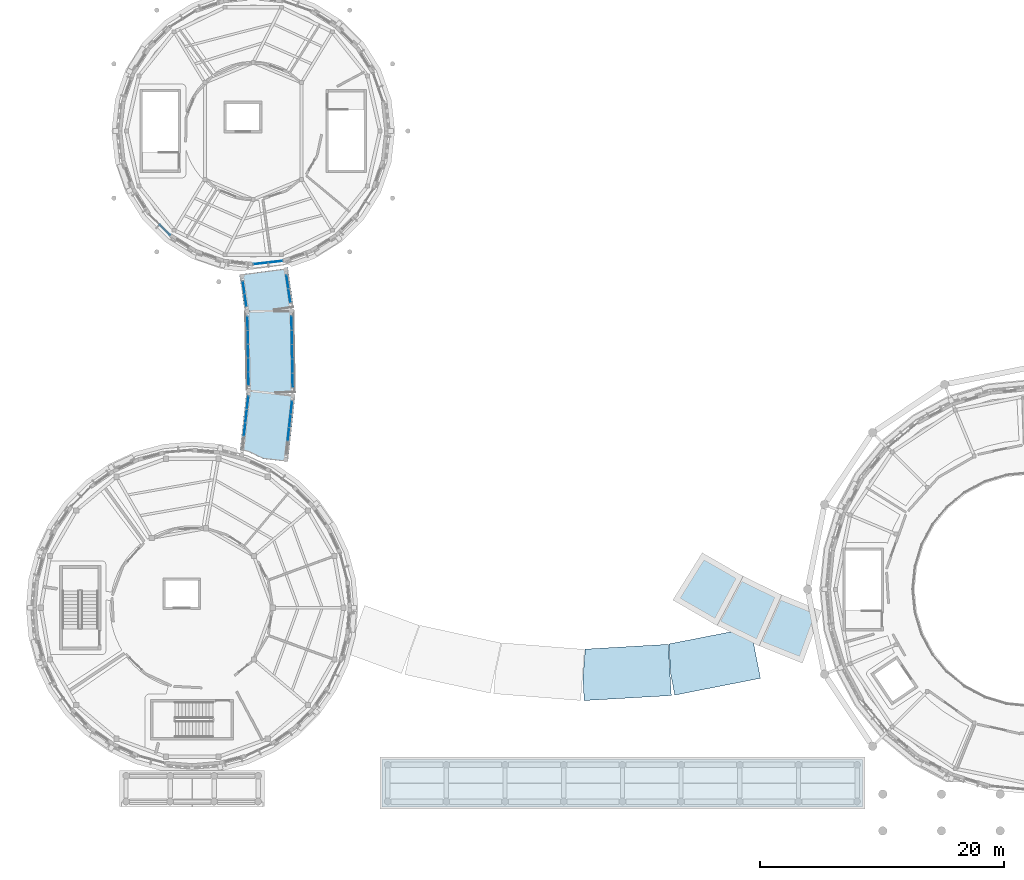
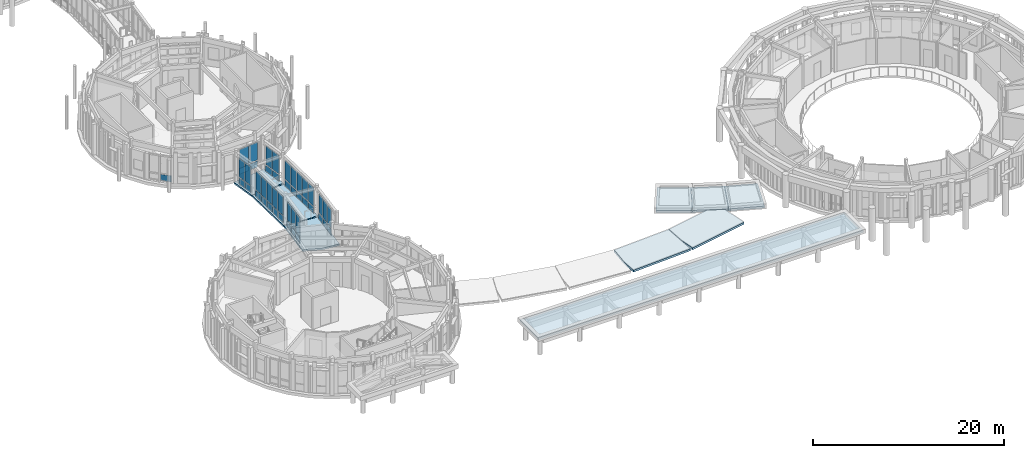
# One storey, part 31 of 80: 45 plates, 9 slabs, 8 elements without a shape of their own.
"""IFC4 building model written with IfcOpenShell, lengths in metres."""

from ifc_helpers import new_model, si_unit, direction, frame, origin, origin_2d, place, context, subcontext, project, spatial, polyline, rectangle, outline, extrude, material, layer, layer_set, type_object, element, aggregate, save


model = new_model("IFC4")

# Units and contexts
model_context = context("Model", 3, precision=1e-05, world=origin(), true_north=direction((0.0, 1.0)))
body_context = subcontext(model_context, "Body", "Model", "MODEL_VIEW")
ifc_project = project(units=[si_unit("LENGTHUNIT", "METRE"), si_unit("AREAUNIT", "SQUARE_METRE"), si_unit("VOLUMEUNIT", "CUBIC_METRE"), si_unit("PLANEANGLEUNIT", "RADIAN"), si_unit("MASSUNIT", "GRAM", prefix="KILO")], contexts=[model_context])

# Site, building, storey
site_placement = place(None, origin())
site = spatial("IfcSite", under=ifc_project, at=site_placement, CompositionType="ELEMENT")
building_placement = place(site_placement, origin())
building = spatial("IfcBuilding", under=site, at=building_placement, Name="Aldenvaro Health Centre", CompositionType="ELEMENT")
storey_placement = place(building_placement, frame((0.0, 0.0, 4.550048828125)))
storey = spatial("IfcBuildingStorey", under=building, at=storey_placement, Name="L01", CompositionType="ELEMENT", Elevation=4.550048828125)

# Curtain wall, plates
ifc_material_1 = material(Name="Anodised Aluminium 6063-T6", Category="aluminium")
ifc_layer_1 = layer(ifc_material_1, 0.195068359375, Name="Anodised Aluminium 6063-T6", Category="aluminium")
ifc_layer_set_1 = layer_set([ifc_layer_1], Name="Anodised Aluminium 6063-T6")
curtain_wall_type_1 = type_object("IfcCurtainWallType", Name="CW-CLN-02", PredefinedType="NOTDEFINED", material=ifc_layer_set_1)
curtain_wall_1_placement = place(storey_placement, origin())
curtain_wall_1 = element("IfcCurtainWall", 1, at=curtain_wall_1_placement, inside=storey, type_object=curtain_wall_type_1, Name="D3 L01 curtain wall bay 07", PredefinedType="NOTDEFINED")
ifc_material_2 = material(Name="Low-E Double Glazing IGU", Category="glass")
ifc_layer_2 = layer(ifc_material_2, 0.028076171875, Name="Low-E Double Glazing IGU", Category="glass")
ifc_layer_set_2 = layer_set([ifc_layer_2], Name="Low-E Double Glazing IGU")
plate_type_1 = type_object("IfcPlateType", Name="CWP-IGU-28", PredefinedType="CURTAIN_PANEL", material=ifc_layer_set_2)
plate_1_placement = place(storey_placement, frame((25.319091796875, 46.804931640625, 0.9599609375), z_axis=(0.0, 0.0, 1.0), x_axis=(-0.993722777443, -0.111870646695, 0.0)))
plate_1 = element("IfcPlate", 2, at=plate_1_placement, type_object=plate_type_1, Name="D3 L01 curtain wall bay 07 vision glazing 1", PredefinedType="CURTAIN_PANEL", context=body_context, shape_type="SweptSolid", body=[
    extrude(rectangle(XDim=1.14990234375, YDim=0.028076171875, at=origin_2d()), origin(), (0.0, 0.0, 1.0), 2.2939453125),
])
plate_2_placement = place(storey_placement, frame((24.10595703125, 46.66796875, 0.9599609375), z_axis=(0.0, 0.0, 1.0), x_axis=(-0.993722777443, -0.111870646695, 0.0)))
plate_2 = element("IfcPlate", 3, at=plate_2_placement, type_object=plate_type_1, Name="D3 L01 curtain wall bay 07 vision glazing 2", PredefinedType="CURTAIN_PANEL", context=body_context, shape_type="SweptSolid", body=[
    extrude(rectangle(XDim=1.14990234375, YDim=0.028076171875, at=origin_2d()), origin(), (0.0, 0.0, 1.0), 2.2939453125),
])

ifc_layer_3 = layer(ifc_material_1, 0.2099609375, Name="Anodised Aluminium 6063-T6", Category="aluminium")
ifc_layer_set_3 = layer_set([ifc_layer_3], Name="Anodised Aluminium 6063-T6")
curtain_wall_type_2 = type_object("IfcCurtainWallType", Name="CW-BRG-03", PredefinedType="NOTDEFINED", material=ifc_layer_set_3)
curtain_wall_2_placement = place(storey_placement, origin())
curtain_wall_2 = element("IfcCurtainWall", 4, at=curtain_wall_2_placement, inside=storey, type_object=curtain_wall_type_2, Name="West South Curved Garden Walkway Arc 1 L01 glazed link wall L-1.1", PredefinedType="NOTDEFINED")
plate_3_placement = place(storey_placement, frame((22.802001953125, 33.0810546875, 0.9599609375), z_axis=(0.0, 0.0, 1.0), x_axis=(0.11038207653, 0.993889227822, 0.0)))
plate_3 = element("IfcPlate", 5, at=plate_3_placement, type_object=plate_type_1, Name="West South Curved Garden Walkway Arc 1 L01 glazed link wall L-1.1 vision glazing 2", PredefinedType="CURTAIN_PANEL", context=body_context, shape_type="SweptSolid", body=[
    extrude(rectangle(XDim=1.0400390625, YDim=0.028076171875, at=origin_2d()), origin(), (0.0, 0.0, 1.0), 2.389892578125),
])
plate_4_placement = place(storey_placement, frame((22.924072265625, 34.18408203125, 0.9599609375), z_axis=(0.0, 0.0, 1.0), x_axis=(0.11038207653, 0.993889227822, 0.0)))
plate_4 = element("IfcPlate", 6, at=plate_4_placement, type_object=plate_type_1, Name="West South Curved Garden Walkway Arc 1 L01 glazed link wall L-1.1 vision glazing 3", PredefinedType="CURTAIN_PANEL", context=body_context, shape_type="SweptSolid", body=[
    extrude(rectangle(XDim=1.0400390625, YDim=0.028076171875, at=origin_2d()), origin(), (0.0, 0.0, 1.0), 2.389892578125),
])
plate_5_placement = place(storey_placement, frame((23.047119140625, 35.287109375, 0.9599609375), z_axis=(0.0, 0.0, 1.0), x_axis=(0.11038207653, 0.993889227822, 0.0)))
plate_5 = element("IfcPlate", 7, at=plate_5_placement, type_object=plate_type_1, Name="West South Curved Garden Walkway Arc 1 L01 glazed link wall L-1.1 vision glazing 4", PredefinedType="CURTAIN_PANEL", context=body_context, shape_type="SweptSolid", body=[
    extrude(rectangle(XDim=1.0400390625, YDim=0.028076171875, at=origin_2d()), origin(), (0.0, 0.0, 1.0), 2.389892578125),
])

curtain_wall_3_placement = place(storey_placement, origin())
curtain_wall_3 = element("IfcCurtainWall", 8, at=curtain_wall_3_placement, inside=storey, type_object=curtain_wall_type_2, Name="West South Curved Garden Walkway Arc 1 L01 glazed link wall R-1.1", PredefinedType="NOTDEFINED")
plate_6_placement = place(storey_placement, frame((26.3798828125, 32.68408203125, 0.9599609375), z_axis=(0.0, 0.0, 1.0), x_axis=(0.11038207653, 0.993889227822, 0.0)))
plate_6 = element("IfcPlate", 9, at=plate_6_placement, type_object=plate_type_1, Name="West South Curved Garden Walkway Arc 1 L01 glazed link wall R-1.1 vision glazing 2", PredefinedType="CURTAIN_PANEL", context=body_context, shape_type="SweptSolid", body=[
    extrude(rectangle(XDim=1.0400390625, YDim=0.028076171875, at=origin_2d()), origin(), (0.0, 0.0, 1.0), 2.389892578125),
])
plate_7_placement = place(storey_placement, frame((26.501953125, 33.787109375, 0.9599609375), z_axis=(0.0, 0.0, 1.0), x_axis=(0.11038207653, 0.993889227822, 0.0)))
plate_7 = element("IfcPlate", 10, at=plate_7_placement, type_object=plate_type_1, Name="West South Curved Garden Walkway Arc 1 L01 glazed link wall R-1.1 vision glazing 3", PredefinedType="CURTAIN_PANEL", context=body_context, shape_type="SweptSolid", body=[
    extrude(rectangle(XDim=1.0400390625, YDim=0.028076171875, at=origin_2d()), origin(), (0.0, 0.0, 1.0), 2.389892578125),
])
plate_8_placement = place(storey_placement, frame((26.625, 34.889892578125, 0.9599609375), z_axis=(0.0, 0.0, 1.0), x_axis=(0.11038207653, 0.993889227822, 0.0)))
plate_8 = element("IfcPlate", 11, at=plate_8_placement, type_object=plate_type_1, Name="West South Curved Garden Walkway Arc 1 L01 glazed link wall R-1.1 vision glazing 4", PredefinedType="CURTAIN_PANEL", context=body_context, shape_type="SweptSolid", body=[
    extrude(rectangle(XDim=1.0400390625, YDim=0.028076171875, at=origin_2d()), origin(), (0.0, 0.0, 1.0), 2.389892578125),
])

curtain_wall_4_placement = place(storey_placement, origin())
curtain_wall_4 = element("IfcCurtainWall", 12, at=curtain_wall_4_placement, inside=storey, type_object=curtain_wall_type_2, Name="West South Curved Garden Walkway Arc 2 L01 glazed link wall L-1.1", PredefinedType="NOTDEFINED")
plate_9_placement = place(storey_placement, frame((23.1220703125, 37.22998046875, 0.9599609375), z_axis=(0.0, 0.0, 1.0), x_axis=(-0.017327194963, 0.999849872888, 0.0)))
plate_9 = element("IfcPlate", 13, at=plate_9_placement, type_object=plate_type_1, Name="West South Curved Garden Walkway Arc 2 L01 glazed link wall L-1.1 vision glazing 1", PredefinedType="CURTAIN_PANEL", context=body_context, shape_type="SweptSolid", body=[
    extrude(rectangle(XDim=1.06103515625, YDim=0.028076171875, at=origin_2d()), origin(), (0.0, 0.0, 1.0), 2.389892578125),
])
plate_10_placement = place(storey_placement, frame((23.10302734375, 38.361083984375, 0.9599609375), z_axis=(0.0, 0.0, 1.0), x_axis=(-0.017327194963, 0.999849872888, 0.0)))
plate_10 = element("IfcPlate", 14, at=plate_10_placement, type_object=plate_type_1, Name="West South Curved Garden Walkway Arc 2 L01 glazed link wall L-1.1 vision glazing 2", PredefinedType="CURTAIN_PANEL", context=body_context, shape_type="SweptSolid", body=[
    extrude(rectangle(XDim=1.06103515625, YDim=0.028076171875, at=origin_2d()), origin(), (0.0, 0.0, 1.0), 2.389892578125),
])
plate_11_placement = place(storey_placement, frame((23.0830078125, 39.491943359375, 0.9599609375), z_axis=(0.0, 0.0, 1.0), x_axis=(-0.017327194963, 0.999849872888, 0.0)))
plate_11 = element("IfcPlate", 15, at=plate_11_placement, type_object=plate_type_1, Name="West South Curved Garden Walkway Arc 2 L01 glazed link wall L-1.1 vision glazing 3", PredefinedType="CURTAIN_PANEL", context=body_context, shape_type="SweptSolid", body=[
    extrude(rectangle(XDim=1.06103515625, YDim=0.028076171875, at=origin_2d()), origin(), (0.0, 0.0, 1.0), 2.389892578125),
])
plate_12_placement = place(storey_placement, frame((23.06298828125, 40.623046875, 0.9599609375), z_axis=(0.0, 0.0, 1.0), x_axis=(-0.017327194963, 0.999849872888, 0.0)))
plate_12 = element("IfcPlate", 16, at=plate_12_placement, type_object=plate_type_1, Name="West South Curved Garden Walkway Arc 2 L01 glazed link wall L-1.1 vision glazing 4", PredefinedType="CURTAIN_PANEL", context=body_context, shape_type="SweptSolid", body=[
    extrude(rectangle(XDim=1.06103515625, YDim=0.028076171875, at=origin_2d()), origin(), (0.0, 0.0, 1.0), 2.389892578125),
])
plate_13_placement = place(storey_placement, frame((23.0439453125, 41.7548828125, 0.9599609375), z_axis=(0.0, 0.0, 1.0), x_axis=(-0.017327194963, 0.999849872888, 0.0)))
plate_13 = element("IfcPlate", 17, at=plate_13_placement, type_object=plate_type_1, Name="West South Curved Garden Walkway Arc 2 L01 glazed link wall L-1.1 vision glazing 5", PredefinedType="CURTAIN_PANEL", context=body_context, shape_type="SweptSolid", body=[
    extrude(rectangle(XDim=1.06103515625, YDim=0.028076171875, at=origin_2d()), origin(), (0.0, 0.0, 1.0), 2.389892578125),
])

curtain_wall_5_placement = place(storey_placement, origin())
curtain_wall_5 = element("IfcCurtainWall", 18, at=curtain_wall_5_placement, inside=storey, type_object=curtain_wall_type_2, Name="West South Curved Garden Walkway Arc 2 L01 glazed link wall R-1.1", PredefinedType="NOTDEFINED")
plate_14_placement = place(storey_placement, frame((26.72509765625, 37.094970703125, 0.9599609375), z_axis=(0.0, 0.0, 1.0), x_axis=(-0.01736204042, 0.999849268416, 0.0)))
plate_14 = element("IfcPlate", 19, at=plate_14_placement, type_object=plate_type_1, Name="West South Curved Garden Walkway Arc 2 L01 glazed link wall R-1.1 vision glazing 1", PredefinedType="CURTAIN_PANEL", context=body_context, shape_type="SweptSolid", body=[
    extrude(rectangle(XDim=1.10498046875, YDim=0.028076171875, at=origin_2d()), origin(), (0.0, 0.0, 1.0), 2.389892578125),
])
plate_15_placement = place(storey_placement, frame((26.7041015625, 38.27001953125, 0.9599609375), z_axis=(0.0, 0.0, 1.0), x_axis=(-0.01736204042, 0.999849268416, 0.0)))
plate_15 = element("IfcPlate", 20, at=plate_15_placement, type_object=plate_type_1, Name="West South Curved Garden Walkway Arc 2 L01 glazed link wall R-1.1 vision glazing 2", PredefinedType="CURTAIN_PANEL", context=body_context, shape_type="SweptSolid", body=[
    extrude(rectangle(XDim=1.10498046875, YDim=0.028076171875, at=origin_2d()), origin(), (0.0, 0.0, 1.0), 2.389892578125),
])
plate_16_placement = place(storey_placement, frame((26.68408203125, 39.445068359375, 0.9599609375), z_axis=(0.0, 0.0, 1.0), x_axis=(-0.01736204042, 0.999849268416, 0.0)))
plate_16 = element("IfcPlate", 21, at=plate_16_placement, type_object=plate_type_1, Name="West South Curved Garden Walkway Arc 2 L01 glazed link wall R-1.1 vision glazing 3", PredefinedType="CURTAIN_PANEL", context=body_context, shape_type="SweptSolid", body=[
    extrude(rectangle(XDim=1.10498046875, YDim=0.028076171875, at=origin_2d()), origin(), (0.0, 0.0, 1.0), 2.389892578125),
])
plate_17_placement = place(storey_placement, frame((26.6640625, 40.6201171875, 0.9599609375), z_axis=(0.0, 0.0, 1.0), x_axis=(-0.01736204042, 0.999849268416, 0.0)))
plate_17 = element("IfcPlate", 22, at=plate_17_placement, type_object=plate_type_1, Name="West South Curved Garden Walkway Arc 2 L01 glazed link wall R-1.1 vision glazing 4", PredefinedType="CURTAIN_PANEL", context=body_context, shape_type="SweptSolid", body=[
    extrude(rectangle(XDim=1.10498046875, YDim=0.028076171875, at=origin_2d()), origin(), (0.0, 0.0, 1.0), 2.389892578125),
])
plate_18_placement = place(storey_placement, frame((26.64306640625, 41.794921875, 0.9599609375), z_axis=(0.0, 0.0, 1.0), x_axis=(-0.01736204042, 0.999849268416, 0.0)))
plate_18 = element("IfcPlate", 23, at=plate_18_placement, type_object=plate_type_1, Name="West South Curved Garden Walkway Arc 2 L01 glazed link wall R-1.1 vision glazing 5", PredefinedType="CURTAIN_PANEL", context=body_context, shape_type="SweptSolid", body=[
    extrude(rectangle(XDim=1.10498046875, YDim=0.028076171875, at=origin_2d()), origin(), (0.0, 0.0, 1.0), 2.389892578125),
])

curtain_wall_6_placement = place(storey_placement, origin())
curtain_wall_6 = element("IfcCurtainWall", 24, at=curtain_wall_6_placement, inside=storey, type_object=curtain_wall_type_2, Name="West South Curved Garden Walkway Arc 3 L01 glazed link wall L-1.1", PredefinedType="NOTDEFINED")
plate_19_placement = place(storey_placement, frame((22.8759765625, 43.660888671875, 0.9599609375), z_axis=(0.0, 0.0, 1.0), x_axis=(-0.144628209814, 0.989486069091, 0.0)))
plate_19 = element("IfcPlate", 25, at=plate_19_placement, type_object=plate_type_1, Name="West South Curved Garden Walkway Arc 3 L01 glazed link wall L-1.1 vision glazing 1", PredefinedType="CURTAIN_PANEL", context=body_context, shape_type="SweptSolid", body=[
    extrude(rectangle(XDim=0.97802734375, YDim=0.028076171875, at=origin_2d()), origin(), (0.0, 0.0, 1.0), 2.389892578125),
])
plate_20_placement = place(storey_placement, frame((22.72509765625, 44.697998046875, 0.9599609375), z_axis=(0.0, 0.0, 1.0), x_axis=(-0.144628209814, 0.989486069091, 0.0)))
plate_20 = element("IfcPlate", 26, at=plate_20_placement, type_object=plate_type_1, Name="West South Curved Garden Walkway Arc 3 L01 glazed link wall L-1.1 vision glazing 2", PredefinedType="CURTAIN_PANEL", context=body_context, shape_type="SweptSolid", body=[
    extrude(rectangle(XDim=0.97802734375, YDim=0.028076171875, at=origin_2d()), origin(), (0.0, 0.0, 1.0), 2.389892578125),
])

curtain_wall_7_placement = place(storey_placement, origin())
curtain_wall_7 = element("IfcCurtainWall", 27, at=curtain_wall_7_placement, inside=storey, type_object=curtain_wall_type_2, Name="West South Curved Garden Walkway Arc 3 L01 glazed link wall R-1.1", PredefinedType="NOTDEFINED")
plate_21_placement = place(storey_placement, frame((26.4619140625, 44.02001953125, 0.9599609375), z_axis=(0.0, 0.0, 1.0), x_axis=(-0.144685733702, 0.989477659406, 0.0)))
plate_21 = element("IfcPlate", 28, at=plate_21_placement, type_object=plate_type_1, Name="West South Curved Garden Walkway Arc 3 L01 glazed link wall R-1.1 vision glazing 1", PredefinedType="CURTAIN_PANEL", context=body_context, shape_type="SweptSolid", body=[
    extrude(rectangle(XDim=1.087890625, YDim=0.028076171875, at=origin_2d()), origin(), (0.0, 0.0, 1.0), 2.389892578125),
])
plate_22_placement = place(storey_placement, frame((26.294921875, 45.1650390625, 0.9599609375), z_axis=(0.0, 0.0, 1.0), x_axis=(-0.144685733702, 0.989477659406, 0.0)))
plate_22 = element("IfcPlate", 29, at=plate_22_placement, type_object=plate_type_1, Name="West South Curved Garden Walkway Arc 3 L01 glazed link wall R-1.1 vision glazing 2", PredefinedType="CURTAIN_PANEL", context=body_context, shape_type="SweptSolid", body=[
    extrude(rectangle(XDim=1.087890625, YDim=0.028076171875, at=origin_2d()), origin(), (0.0, 0.0, 1.0), 2.389892578125),
])

# Plate
ifc_material_3 = material(Name="Insulated Aluminium Spandrel", Category="aluminium")
ifc_layer_4 = layer(ifc_material_3, 0.035888671875, Name="Insulated Aluminium Spandrel", Category="aluminium")
ifc_layer_set_4 = layer_set([ifc_layer_4], Name="Insulated Aluminium Spandrel")
plate_type_2 = type_object("IfcPlateType", Name="CWP-SPN-36", PredefinedType="CURTAIN_PANEL", material=ifc_layer_set_4)
plate_23_placement = place(storey_placement, frame((25.319091796875, 46.804931640625, 0.06005859375), z_axis=(0.0, 0.0, 1.0), x_axis=(-0.993722777443, -0.111870646695, 0.0)))
plate_23 = element("IfcPlate", 30, at=plate_23_placement, type_object=plate_type_2, Name="D3 L01 curtain wall bay 07 spandrel panel 1", PredefinedType="CURTAIN_PANEL", context=body_context, shape_type="SweptSolid", body=[
    extrude(rectangle(XDim=1.14990234375, YDim=0.035888671875, at=origin_2d()), origin(), (0.0, 0.0, 1.0), 0.780029296875),
])

plate_24_placement = place(storey_placement, frame((24.10595703125, 46.66796875, 0.06005859375), z_axis=(0.0, 0.0, 1.0), x_axis=(-0.993722777443, -0.111870646695, 0.0)))
plate_24 = element("IfcPlate", 31, at=plate_24_placement, type_object=plate_type_2, Name="D3 L01 curtain wall bay 07 spandrel panel 2", PredefinedType="CURTAIN_PANEL", context=body_context, shape_type="SweptSolid", body=[
    extrude(rectangle(XDim=1.14990234375, YDim=0.035888671875, at=origin_2d()), origin(), (0.0, 0.0, 1.0), 0.780029296875),
])

aggregate(curtain_wall_1, [plate_23, plate_1, plate_24, plate_2])

# Curtain wall, plate
curtain_wall_8_placement = place(storey_placement, origin())
curtain_wall_8 = element("IfcCurtainWall", 32, at=curtain_wall_8_placement, inside=storey, type_object=curtain_wall_type_1, Name="D3 L01 curtain wall bay 11", PredefinedType="NOTDEFINED")
plate_25_placement = place(storey_placement, frame((16.27294921875, 49.409912109375, 0.06005859375), z_axis=(0.0, 0.0, 1.0), x_axis=(-0.707106781187, 0.707106781187, 0.0)))
plate_25 = element("IfcPlate", 33, at=plate_25_placement, type_object=plate_type_2, Name="D3 L01 curtain wall bay 11 spandrel panel 1", PredefinedType="CURTAIN_PANEL", context=body_context, shape_type="SweptSolid", body=[
    extrude(rectangle(XDim=1.14990234375, YDim=0.035888671875, at=origin_2d()), origin(), (0.0, 0.0, 1.0), 0.780029296875),
])
aggregate(curtain_wall_8, [plate_25])

# Plate
plate_26_placement = place(storey_placement, frame((22.802001953125, 33.0810546875, 0.06005859375), z_axis=(0.0, 0.0, 1.0), x_axis=(0.11038207653, 0.993889227822, 0.0)))
plate_26 = element("IfcPlate", 34, at=plate_26_placement, type_object=plate_type_2, Name="West South Curved Garden Walkway Arc 1 L01 glazed link wall L-1.1 spandrel panel 2", PredefinedType="CURTAIN_PANEL", context=body_context, shape_type="SweptSolid", body=[
    extrude(rectangle(XDim=1.0400390625, YDim=0.035888671875, at=origin_2d()), origin(), (0.0, 0.0, 1.0), 0.780029296875),
])

plate_27_placement = place(storey_placement, frame((22.924072265625, 34.18408203125, 0.06005859375), z_axis=(0.0, 0.0, 1.0), x_axis=(0.11038207653, 0.993889227822, 0.0)))
plate_27 = element("IfcPlate", 35, at=plate_27_placement, type_object=plate_type_2, Name="West South Curved Garden Walkway Arc 1 L01 glazed link wall L-1.1 spandrel panel 3", PredefinedType="CURTAIN_PANEL", context=body_context, shape_type="SweptSolid", body=[
    extrude(rectangle(XDim=1.0400390625, YDim=0.035888671875, at=origin_2d()), origin(), (0.0, 0.0, 1.0), 0.780029296875),
])

plate_28_placement = place(storey_placement, frame((23.047119140625, 35.287109375, 0.06005859375), z_axis=(0.0, 0.0, 1.0), x_axis=(0.11038207653, 0.993889227822, 0.0)))
plate_28 = element("IfcPlate", 36, at=plate_28_placement, type_object=plate_type_2, Name="West South Curved Garden Walkway Arc 1 L01 glazed link wall L-1.1 spandrel panel 4", PredefinedType="CURTAIN_PANEL", context=body_context, shape_type="SweptSolid", body=[
    extrude(rectangle(XDim=1.0400390625, YDim=0.035888671875, at=origin_2d()), origin(), (0.0, 0.0, 1.0), 0.780029296875),
])

aggregate(curtain_wall_2, [plate_26, plate_3, plate_27, plate_4, plate_28, plate_5])

plate_29_placement = place(storey_placement, frame((26.3798828125, 32.68408203125, 0.06005859375), z_axis=(0.0, 0.0, 1.0), x_axis=(0.11038207653, 0.993889227822, 0.0)))
plate_29 = element("IfcPlate", 37, at=plate_29_placement, type_object=plate_type_2, Name="West South Curved Garden Walkway Arc 1 L01 glazed link wall R-1.1 spandrel panel 2", PredefinedType="CURTAIN_PANEL", context=body_context, shape_type="SweptSolid", body=[
    extrude(rectangle(XDim=1.0400390625, YDim=0.035888671875, at=origin_2d()), origin(), (0.0, 0.0, 1.0), 0.780029296875),
])

plate_30_placement = place(storey_placement, frame((26.501953125, 33.787109375, 0.06005859375), z_axis=(0.0, 0.0, 1.0), x_axis=(0.11038207653, 0.993889227822, 0.0)))
plate_30 = element("IfcPlate", 38, at=plate_30_placement, type_object=plate_type_2, Name="West South Curved Garden Walkway Arc 1 L01 glazed link wall R-1.1 spandrel panel 3", PredefinedType="CURTAIN_PANEL", context=body_context, shape_type="SweptSolid", body=[
    extrude(rectangle(XDim=1.0400390625, YDim=0.035888671875, at=origin_2d()), origin(), (0.0, 0.0, 1.0), 0.780029296875),
])

plate_31_placement = place(storey_placement, frame((26.625, 34.889892578125, 0.06005859375), z_axis=(0.0, 0.0, 1.0), x_axis=(0.11038207653, 0.993889227822, 0.0)))
plate_31 = element("IfcPlate", 39, at=plate_31_placement, type_object=plate_type_2, Name="West South Curved Garden Walkway Arc 1 L01 glazed link wall R-1.1 spandrel panel 4", PredefinedType="CURTAIN_PANEL", context=body_context, shape_type="SweptSolid", body=[
    extrude(rectangle(XDim=1.0400390625, YDim=0.035888671875, at=origin_2d()), origin(), (0.0, 0.0, 1.0), 0.780029296875),
])

aggregate(curtain_wall_3, [plate_29, plate_6, plate_30, plate_7, plate_31, plate_8])

plate_32_placement = place(storey_placement, frame((23.1220703125, 37.22998046875, 0.06005859375), z_axis=(0.0, 0.0, 1.0), x_axis=(-0.017327194963, 0.999849872888, 0.0)))
plate_32 = element("IfcPlate", 40, at=plate_32_placement, type_object=plate_type_2, Name="West South Curved Garden Walkway Arc 2 L01 glazed link wall L-1.1 spandrel panel 1", PredefinedType="CURTAIN_PANEL", context=body_context, shape_type="SweptSolid", body=[
    extrude(rectangle(XDim=1.06103515625, YDim=0.035888671875, at=origin_2d()), origin(), (0.0, 0.0, 1.0), 0.780029296875),
])

plate_33_placement = place(storey_placement, frame((23.10302734375, 38.361083984375, 0.06005859375), z_axis=(0.0, 0.0, 1.0), x_axis=(-0.017327194963, 0.999849872888, 0.0)))
plate_33 = element("IfcPlate", 41, at=plate_33_placement, type_object=plate_type_2, Name="West South Curved Garden Walkway Arc 2 L01 glazed link wall L-1.1 spandrel panel 2", PredefinedType="CURTAIN_PANEL", context=body_context, shape_type="SweptSolid", body=[
    extrude(rectangle(XDim=1.06103515625, YDim=0.035888671875, at=origin_2d()), origin(), (0.0, 0.0, 1.0), 0.780029296875),
])

plate_34_placement = place(storey_placement, frame((23.0830078125, 39.491943359375, 0.06005859375), z_axis=(0.0, 0.0, 1.0), x_axis=(-0.017327194963, 0.999849872888, 0.0)))
plate_34 = element("IfcPlate", 42, at=plate_34_placement, type_object=plate_type_2, Name="West South Curved Garden Walkway Arc 2 L01 glazed link wall L-1.1 spandrel panel 3", PredefinedType="CURTAIN_PANEL", context=body_context, shape_type="SweptSolid", body=[
    extrude(rectangle(XDim=1.06103515625, YDim=0.035888671875, at=origin_2d()), origin(), (0.0, 0.0, 1.0), 0.780029296875),
])

plate_35_placement = place(storey_placement, frame((23.06298828125, 40.623046875, 0.06005859375), z_axis=(0.0, 0.0, 1.0), x_axis=(-0.017327194963, 0.999849872888, 0.0)))
plate_35 = element("IfcPlate", 43, at=plate_35_placement, type_object=plate_type_2, Name="West South Curved Garden Walkway Arc 2 L01 glazed link wall L-1.1 spandrel panel 4", PredefinedType="CURTAIN_PANEL", context=body_context, shape_type="SweptSolid", body=[
    extrude(rectangle(XDim=1.06103515625, YDim=0.035888671875, at=origin_2d()), origin(), (0.0, 0.0, 1.0), 0.780029296875),
])

plate_36_placement = place(storey_placement, frame((23.0439453125, 41.7548828125, 0.06005859375), z_axis=(0.0, 0.0, 1.0), x_axis=(-0.017327194963, 0.999849872888, 0.0)))
plate_36 = element("IfcPlate", 44, at=plate_36_placement, type_object=plate_type_2, Name="West South Curved Garden Walkway Arc 2 L01 glazed link wall L-1.1 spandrel panel 5", PredefinedType="CURTAIN_PANEL", context=body_context, shape_type="SweptSolid", body=[
    extrude(rectangle(XDim=1.06103515625, YDim=0.035888671875, at=origin_2d()), origin(), (0.0, 0.0, 1.0), 0.780029296875),
])

aggregate(curtain_wall_4, [plate_32, plate_9, plate_33, plate_10, plate_34, plate_11, plate_35, plate_12, plate_36, plate_13])

plate_37_placement = place(storey_placement, frame((26.72509765625, 37.094970703125, 0.06005859375), z_axis=(0.0, 0.0, 1.0), x_axis=(-0.01736204042, 0.999849268416, 0.0)))
plate_37 = element("IfcPlate", 45, at=plate_37_placement, type_object=plate_type_2, Name="West South Curved Garden Walkway Arc 2 L01 glazed link wall R-1.1 spandrel panel 1", PredefinedType="CURTAIN_PANEL", context=body_context, shape_type="SweptSolid", body=[
    extrude(rectangle(XDim=1.10498046875, YDim=0.035888671875, at=origin_2d()), origin(), (0.0, 0.0, 1.0), 0.780029296875),
])

plate_38_placement = place(storey_placement, frame((26.7041015625, 38.27001953125, 0.06005859375), z_axis=(0.0, 0.0, 1.0), x_axis=(-0.01736204042, 0.999849268416, 0.0)))
plate_38 = element("IfcPlate", 46, at=plate_38_placement, type_object=plate_type_2, Name="West South Curved Garden Walkway Arc 2 L01 glazed link wall R-1.1 spandrel panel 2", PredefinedType="CURTAIN_PANEL", context=body_context, shape_type="SweptSolid", body=[
    extrude(rectangle(XDim=1.10498046875, YDim=0.035888671875, at=origin_2d()), origin(), (0.0, 0.0, 1.0), 0.780029296875),
])

plate_39_placement = place(storey_placement, frame((26.68408203125, 39.445068359375, 0.06005859375), z_axis=(0.0, 0.0, 1.0), x_axis=(-0.01736204042, 0.999849268416, 0.0)))
plate_39 = element("IfcPlate", 47, at=plate_39_placement, type_object=plate_type_2, Name="West South Curved Garden Walkway Arc 2 L01 glazed link wall R-1.1 spandrel panel 3", PredefinedType="CURTAIN_PANEL", context=body_context, shape_type="SweptSolid", body=[
    extrude(rectangle(XDim=1.10498046875, YDim=0.035888671875, at=origin_2d()), origin(), (0.0, 0.0, 1.0), 0.780029296875),
])

plate_40_placement = place(storey_placement, frame((26.6640625, 40.6201171875, 0.06005859375), z_axis=(0.0, 0.0, 1.0), x_axis=(-0.01736204042, 0.999849268416, 0.0)))
plate_40 = element("IfcPlate", 48, at=plate_40_placement, type_object=plate_type_2, Name="West South Curved Garden Walkway Arc 2 L01 glazed link wall R-1.1 spandrel panel 4", PredefinedType="CURTAIN_PANEL", context=body_context, shape_type="SweptSolid", body=[
    extrude(rectangle(XDim=1.10498046875, YDim=0.035888671875, at=origin_2d()), origin(), (0.0, 0.0, 1.0), 0.780029296875),
])

plate_41_placement = place(storey_placement, frame((26.64306640625, 41.794921875, 0.06005859375), z_axis=(0.0, 0.0, 1.0), x_axis=(-0.01736204042, 0.999849268416, 0.0)))
plate_41 = element("IfcPlate", 49, at=plate_41_placement, type_object=plate_type_2, Name="West South Curved Garden Walkway Arc 2 L01 glazed link wall R-1.1 spandrel panel 5", PredefinedType="CURTAIN_PANEL", context=body_context, shape_type="SweptSolid", body=[
    extrude(rectangle(XDim=1.10498046875, YDim=0.035888671875, at=origin_2d()), origin(), (0.0, 0.0, 1.0), 0.780029296875),
])

aggregate(curtain_wall_5, [plate_37, plate_14, plate_38, plate_15, plate_39, plate_16, plate_40, plate_17, plate_41, plate_18])

plate_42_placement = place(storey_placement, frame((22.8759765625, 43.660888671875, 0.06005859375), z_axis=(0.0, 0.0, 1.0), x_axis=(-0.144628209814, 0.989486069091, 0.0)))
plate_42 = element("IfcPlate", 50, at=plate_42_placement, type_object=plate_type_2, Name="West South Curved Garden Walkway Arc 3 L01 glazed link wall L-1.1 spandrel panel 1", PredefinedType="CURTAIN_PANEL", context=body_context, shape_type="SweptSolid", body=[
    extrude(rectangle(XDim=0.97802734375, YDim=0.035888671875, at=origin_2d()), origin(), (0.0, 0.0, 1.0), 0.780029296875),
])

plate_43_placement = place(storey_placement, frame((22.72509765625, 44.697998046875, 0.06005859375), z_axis=(0.0, 0.0, 1.0), x_axis=(-0.144628209814, 0.989486069091, 0.0)))
plate_43 = element("IfcPlate", 51, at=plate_43_placement, type_object=plate_type_2, Name="West South Curved Garden Walkway Arc 3 L01 glazed link wall L-1.1 spandrel panel 2", PredefinedType="CURTAIN_PANEL", context=body_context, shape_type="SweptSolid", body=[
    extrude(rectangle(XDim=0.97802734375, YDim=0.035888671875, at=origin_2d()), origin(), (0.0, 0.0, 1.0), 0.780029296875),
])

aggregate(curtain_wall_6, [plate_42, plate_19, plate_43, plate_20])

plate_44_placement = place(storey_placement, frame((26.4619140625, 44.02001953125, 0.06005859375), z_axis=(0.0, 0.0, 1.0), x_axis=(-0.144685733702, 0.989477659406, 0.0)))
plate_44 = element("IfcPlate", 52, at=plate_44_placement, type_object=plate_type_2, Name="West South Curved Garden Walkway Arc 3 L01 glazed link wall R-1.1 spandrel panel 1", PredefinedType="CURTAIN_PANEL", context=body_context, shape_type="SweptSolid", body=[
    extrude(rectangle(XDim=1.087890625, YDim=0.035888671875, at=origin_2d()), origin(), (0.0, 0.0, 1.0), 0.780029296875),
])

plate_45_placement = place(storey_placement, frame((26.294921875, 45.1650390625, 0.06005859375), z_axis=(0.0, 0.0, 1.0), x_axis=(-0.144685733702, 0.989477659406, 0.0)))
plate_45 = element("IfcPlate", 53, at=plate_45_placement, type_object=plate_type_2, Name="West South Curved Garden Walkway Arc 3 L01 glazed link wall R-1.1 spandrel panel 2", PredefinedType="CURTAIN_PANEL", context=body_context, shape_type="SweptSolid", body=[
    extrude(rectangle(XDim=1.087890625, YDim=0.035888671875, at=origin_2d()), origin(), (0.0, 0.0, 1.0), 0.780029296875),
])

aggregate(curtain_wall_7, [plate_44, plate_21, plate_45, plate_22])

# Slabs
ifc_material_4 = material(Name="Cross-laminated timber CLT E1", Category="wood")
ifc_layer_5 = layer(ifc_material_4, 0.205078125, Name="Cross-laminated timber CLT E1", Category="wood")
ifc_layer_set_5 = layer_set([ifc_layer_5], Name="Cross-laminated timber CLT E1")
slab_type_1 = type_object("IfcSlabType", Name="SLB-CLT-205", PredefinedType="FLOOR", material=ifc_layer_set_5)
slab_1_placement = place(storey_placement, frame((0.0, 0.0, -0.205078125)))
element("IfcSlab", 54, at=slab_1_placement, inside=storey, type_object=slab_type_1, Name="West South Curved Garden Walkway Arc 1 L01 deck slab", PredefinedType="FLOOR", context=body_context, shape_type="SweptSolid", body=[
    extrude(outline(polyline([(22.955078125, 36.278076171875), (26.930908203125, 35.8359375), (26.3330078125, 30.447998046875), (24.344970703125, 30.6689453125), (23.134033203125, 31.23291015625), (22.416015625, 31.425048828125), (22.955078125, 36.278076171875)])), origin(), (0.0, 0.0, 1.0), 0.205078125),
])
slab_2_placement = place(storey_placement, frame((0.0, 0.0, -0.205078125)))
element("IfcSlab", 55, at=slab_2_placement, inside=storey, type_object=slab_type_1, Name="West South Curved Garden Walkway Arc 2 L01 deck slab", PredefinedType="FLOOR", context=body_context, shape_type="SweptSolid", body=[
    extrude(outline(polyline([(22.825927734375, 42.736083984375), (26.825927734375, 42.805908203125), (26.943115234375, 36.092041015625), (25.256103515625, 36.06201171875), (22.93798828125, 36.320068359375), (22.825927734375, 42.736083984375)])), origin(), (0.0, 0.0, 1.0), 0.205078125),
])
slab_3_placement = place(storey_placement, frame((0.0, 0.0, -0.205078125)))
element("IfcSlab", 56, at=slab_3_placement, inside=storey, type_object=slab_type_1, Name="West South Curved Garden Walkway Arc 3 L01 deck slab", PredefinedType="FLOOR", context=body_context, shape_type="SweptSolid", body=[
    extrude(outline(polyline([(26.804931640625, 43.06103515625), (25.135986328125, 42.81591796875), (22.803955078125, 42.77587890625), (22.367919921875, 45.756103515625), (26.070068359375, 46.239990234375), (26.325927734375, 46.330078125), (26.804931640625, 43.06103515625)])), origin(), (0.0, 0.0, 1.0), 0.205078125),
])
ifc_material_5 = material(Name="Concrete f'c 40 MPa", Category="concrete")
ifc_layer_6 = layer(ifc_material_5, 0.25, Name="Concrete f'c 40 MPa", Category="concrete")
ifc_layer_set_6 = layer_set([ifc_layer_6], Name="Concrete f'c 40 MPa")
slab_type_2 = type_object("IfcSlabType", Name="SLB-ROOF-250", PredefinedType="ROOF", material=ifc_layer_set_6)
slab_4_placement = place(storey_placement, frame((0.0, 0.0, -0.25)))
element("IfcSlab", 57, at=slab_4_placement, inside=storey, type_object=slab_type_2, Name="Colonnade Canopy Roof Slab 01", PredefinedType="ROOF", context=body_context, shape_type="SweptSolid", body=[
    extrude(outline(polyline([(60.2919921875, 22.758056640625), (58.06591796875, 19.197021484375), (61.366943359375, 17.291015625), (63.339111328125, 20.9990234375), (60.2919921875, 22.758056640625)])), origin(), (0.0, 0.0, 1.0), 0.25),
])
slab_5_placement = place(storey_placement, frame((0.0, 0.0, -0.25)))
element("IfcSlab", 58, at=slab_5_placement, inside=storey, type_object=slab_type_2, Name="Colonnade Canopy Roof Slab 02", PredefinedType="ROOF", context=body_context, shape_type="SweptSolid", body=[
    extrude(outline(polyline([(66.5, 19.45703125), (64.7919921875, 15.6201171875), (61.39404296875, 17.278076171875), (63.365966796875, 20.986083984375), (66.5, 19.45703125)])), origin(), (0.0, 0.0, 1.0), 0.25),
])
slab_6_placement = place(storey_placement, frame((0.0, 0.0, -0.25)))
element("IfcSlab", 59, at=slab_6_placement, inside=storey, type_object=slab_type_2, Name="Colonnade Canopy Roof Slab 03", PredefinedType="ROOF", context=body_context, shape_type="SweptSolid", body=[
    extrude(outline(polyline([(69.761962890625, 18.138916015625), (68.325927734375, 14.193115234375), (64.820068359375, 15.60888671875), (66.528076171875, 19.446044921875), (69.761962890625, 18.138916015625)])), origin(), (0.0, 0.0, 1.0), 0.25),
])
slab_7_placement = place(storey_placement, frame((0.0, 0.0, -0.25)))
element("IfcSlab", 60, at=slab_7_placement, inside=storey, type_object=slab_type_2, Name="South West Curved Peristyle Walkway Arc 4 roof slab", PredefinedType="ROOF", context=body_context, shape_type="SweptSolid", body=[
    extrude(outline(polyline([(57.458984375, 15.510986328125), (57.700927734375, 11.31689453125), (50.571044921875, 10.906005859375), (50.467041015625, 12.708984375), (50.656982421875, 15.117919921875), (57.458984375, 15.510986328125)])), origin(), (0.0, 0.0, 1.0), 0.25),
])
slab_8_placement = place(storey_placement, frame((0.0, 0.0, -0.25)))
element("IfcSlab", 61, at=slab_8_placement, inside=storey, type_object=slab_type_2, Name="South West Curved Peristyle Walkway Arc 5 roof slab", PredefinedType="ROOF", context=body_context, shape_type="SweptSolid", body=[
    extrude(outline(polyline([(64.991943359375, 12.72802734375), (57.98388671875, 11.35302734375), (57.636962890625, 13.125), (57.498046875, 15.5380859375), (62.739013671875, 16.56591796875), (64.39794921875, 15.757080078125), (64.991943359375, 12.72802734375)])), origin(), (0.0, 0.0, 1.0), 0.25),
])
slab_9_placement = place(storey_placement, frame((0.0, 0.0, 2.14990234375)))
element("IfcSlab", 62, at=slab_9_placement, inside=storey, type_object=slab_type_2, Name="South Neoclassical Stoa W Cornice Deck", PredefinedType="ROOF", context=body_context, shape_type="SweptSolid", body=[
    extrude(outline(polyline([(34.050048828125, 2.199951171875), (73.35009765625, 2.199951171875), (73.35009765625, 6.10009765625), (34.050048828125, 6.10009765625), (34.050048828125, 2.199951171875)])), origin(), (0.0, 0.0, 1.0), 0.25),
])

save(model, "model.ifc")
